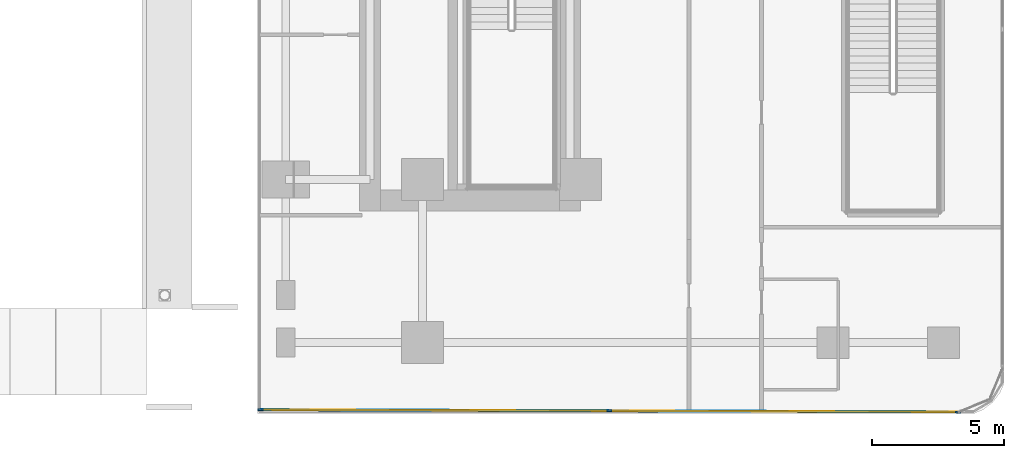
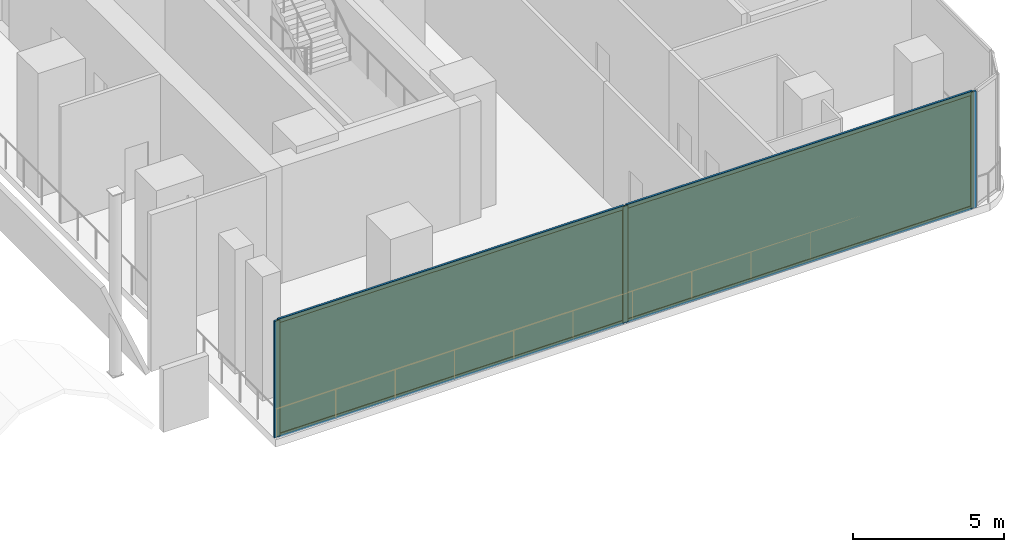
# One storey, part 16 of 31: 7 members, 2 plates, 1 curtain wall.
"""IFC4 building model written with IfcOpenShell, lengths in metres."""

from ifc_helpers import new_model, si_unit, direction, frame, frame_2d, origin, origin_2d, place, context, subcontext, project, spatial, rectangle, extrude, material, layer, layer_set, material_profile, profile_set, type_object, element, aggregate, save


model = new_model("IFC4")

# Units and contexts
model_context = context("Model", 3, precision=1e-05, world=origin(), true_north=direction((0.0, 1.0)))
body_context = subcontext(model_context, "Body", "Model", "MODEL_VIEW")
ifc_project = project(units=[si_unit("LENGTHUNIT", "METRE"), si_unit("AREAUNIT", "SQUARE_METRE"), si_unit("VOLUMEUNIT", "CUBIC_METRE"), si_unit("PLANEANGLEUNIT", "RADIAN"), si_unit("MASSUNIT", "GRAM", prefix="KILO")], contexts=[model_context])

# Member
ifc_material_1 = material(Name="Anodised Bronze Aluminium 6063-T6", Category="aluminium")
ifc_material_profile_1 = material_profile(ifc_material_1, rectangle(XDim=0.074951171875, YDim=0.199951171875, at=origin_2d()))
ifc_profile_set_1 = profile_set([ifc_material_profile_1], Name="Anodised Bronze Aluminium 6063-T6")
member_type_1 = type_object("IfcMemberType", Name="CW-POD Mullion 75x200", PredefinedType="MULLION", material=ifc_profile_set_1)
site_placement = place(None, origin())
building_placement = place(site_placement, origin())
storey_placement = place(building_placement, frame((0.0, 0.0, 11.0)))
member_1_placement = place(storey_placement, frame((34.751953125, -27.43994140625, 0.0), z_axis=(0.0, 0.0, 1.0), x_axis=(-0.003136561032, -0.99999508098, 0.0)))
member_1 = element("IfcMember", 1, at=member_1_placement, type_object=member_type_1, Name="CW-POD mullion 1", PredefinedType="MULLION", context=body_context, shape_type="SweptSolid", body=[
    extrude(rectangle(XDim=0.074951171875, YDim=0.199951171875, at=origin_2d()), origin(), (0.0, 0.0, 1.0), 4.699951171875),
])

member_2_placement = place(storey_placement, frame((21.49462890625, -27.398193359375, 0.0), z_axis=(0.0, 0.0, 1.0), x_axis=(-0.003136561032, -0.99999508098, 0.0)))
member_2 = element("IfcMember", 2, at=member_2_placement, type_object=member_type_1, Name="CW-POD mullion 2", PredefinedType="MULLION", context=body_context, shape_type="SweptSolid", body=[
    extrude(rectangle(XDim=0.074951171875, YDim=0.199951171875, at=origin_2d()), origin(), (0.0, 0.0, 1.0), 4.699951171875),
])

member_3_placement = place(storey_placement, frame((8.237548828125, -27.356689453125, 0.0), z_axis=(0.0, 0.0, 1.0), x_axis=(-0.003136561032, -0.99999508098, 0.0)))
member_3 = element("IfcMember", 3, at=member_3_placement, type_object=member_type_1, Name="CW-POD mullion 3", PredefinedType="MULLION", context=body_context, shape_type="SweptSolid", body=[
    extrude(rectangle(XDim=0.074951171875, YDim=0.199951171875, at=origin_2d()), origin(), (0.0, 0.0, 1.0), 4.699951171875),
])

ifc_material_2 = material(Name="Anodised Bronze Aluminium 6063-T6", Category="aluminium")
ifc_material_profile_2 = material_profile(ifc_material_2, rectangle(XDim=0.074951171875, YDim=0.159912109375, at=origin_2d()))
ifc_profile_set_2 = profile_set([ifc_material_profile_2], Name="Anodised Bronze Aluminium 6063-T6")
member_type_2 = type_object("IfcMemberType", Name="CW-POD Transom 75x160", PredefinedType="USERDEFINED", material=ifc_profile_set_2)
member_4_placement = place(storey_placement, frame((34.714599609375, -27.439697265625, 0.03759765625), z_axis=(-0.999995101838, 0.003129904106, 0.0), x_axis=(-0.003129904106, -0.999995101838, 0.0)))
member_4 = element("IfcMember", 4, at=member_4_placement, type_object=member_type_2, Name="CW-POD transom 1.1", ObjectType="TRANSOM", PredefinedType="USERDEFINED", context=body_context, shape_type="SweptSolid", body=[
    extrude(rectangle(XDim=0.074951171875, YDim=0.159912109375, at=origin_2d()), origin(), (0.0, 0.0, 1.0), 13.182373046875),
])

member_5_placement = place(storey_placement, frame((34.714599609375, -27.439697265625, 4.66259765625), z_axis=(-0.999995101838, 0.003129904106, 0.0), x_axis=(-0.003129904106, -0.999995101838, 0.0)))
member_5 = element("IfcMember", 5, at=member_5_placement, type_object=member_type_2, Name="CW-POD transom 1.2", ObjectType="TRANSOM", PredefinedType="USERDEFINED", context=body_context, shape_type="SweptSolid", body=[
    extrude(rectangle(XDim=0.074951171875, YDim=0.159912109375, at=origin_2d()), origin(), (0.0, 0.0, 1.0), 13.182373046875),
])

member_6_placement = place(storey_placement, frame((21.457275390625, -27.398193359375, 0.03759765625), z_axis=(-0.999995101838, 0.003129904106, 0.0), x_axis=(-0.003129904106, -0.999995101838, 0.0)))
member_6 = element("IfcMember", 6, at=member_6_placement, type_object=member_type_2, Name="CW-POD transom 2.1", ObjectType="TRANSOM", PredefinedType="USERDEFINED", context=body_context, shape_type="SweptSolid", body=[
    extrude(rectangle(XDim=0.074951171875, YDim=0.159912109375, at=origin_2d()), origin(), (0.0, 0.0, 1.0), 13.182373046875),
])

member_7_placement = place(storey_placement, frame((21.457275390625, -27.398193359375, 4.66259765625), z_axis=(-0.999995101838, 0.003129904106, 0.0), x_axis=(-0.003129904106, -0.999995101838, 0.0)))
member_7 = element("IfcMember", 7, at=member_7_placement, type_object=member_type_2, Name="CW-POD transom 2.2", ObjectType="TRANSOM", PredefinedType="USERDEFINED", context=body_context, shape_type="SweptSolid", body=[
    extrude(rectangle(XDim=0.074951171875, YDim=0.159912109375, at=origin_2d()), origin(), (0.0, 0.0, 1.0), 13.182373046875),
])

# Plate
ifc_material_3 = material(Name="Low-E Solar Control Laminated Glass", Category="glass")
ifc_layer_1 = layer(ifc_material_3, 0.031982421875, Name="Low-E Solar Control Laminated Glass")
ifc_layer_set_1 = layer_set([ifc_layer_1], Name="Low-E Solar Control Laminated Glass")
plate_type = type_object("IfcPlateType", Name="CW-POD Low-E Double Glazed Panel 32mm", PredefinedType="CURTAIN_PANEL", material=ifc_layer_set_1)
plate_1_placement = place(storey_placement, frame((28.123291015625, -27.419189453125, 0.0751953125), z_axis=(0.0, 0.0, 1.0), x_axis=(-0.99999508098, 0.003136561032, 0.0)))
plate_1 = element("IfcPlate", 8, at=plate_1_placement, type_object=plate_type, Name="CW-POD panel 1.1", PredefinedType="CURTAIN_PANEL", context=body_context, shape_type="SweptSolid", body=[
    extrude(rectangle(XDim=13.182373046875, YDim=0.031982421875, at=origin_2d()), origin(), (0.0, 0.0, 1.0), 4.550048828125),
])

plate_2_placement = place(storey_placement, frame((14.8662109375, -27.37744140625, 0.0751953125), z_axis=(0.0, 0.0, 1.0), x_axis=(-0.99999508098, 0.003136561032, 0.0)))
plate_2 = element("IfcPlate", 9, at=plate_2_placement, type_object=plate_type, Name="CW-POD panel 2.1", PredefinedType="CURTAIN_PANEL", context=body_context, shape_type="SweptSolid", body=[
    extrude(rectangle(XDim=13.182373046875, YDim=0.031982421875, at=origin_2d()), origin(), (0.0, 0.0, 1.0), 4.550048828125),
])

# Site, building, storey
site = spatial("IfcSite", under=ifc_project, at=site_placement, CompositionType="ELEMENT")
building = spatial("IfcBuilding", under=site, at=building_placement, Name="Khairoan Windgate Tower", CompositionType="ELEMENT")
storey = spatial("IfcBuildingStorey", under=building, at=storey_placement, Name="L03", CompositionType="ELEMENT", Elevation=11.0)

# Curtain wall
ifc_material_4 = material(Name="Anodised Bronze Aluminium 6063-T6", Category="aluminium")
ifc_layer_2 = layer(ifc_material_4, 0.199951171875, Name="Anodised Bronze Aluminium 6063-T6")
ifc_layer_set_2 = layer_set([ifc_layer_2], Name="Anodised Bronze Aluminium 6063-T6")
curtain_wall_type = type_object("IfcCurtainWallType", Name="Podium Arch Galleria Curtain Wall CW-POD", PredefinedType="NOTDEFINED", material=ifc_layer_set_2)
curtain_wall_placement = place(storey_placement, frame((34.78955078125, -27.43994140625, 0.0), z_axis=(0.0, 0.0, 1.0), x_axis=(-0.999995098465, 0.003130981522, 0.0)))
curtain_wall = element("IfcCurtainWall", 10, at=curtain_wall_placement, inside=storey, type_object=curtain_wall_type, Name="L03 Sculpted Podium Wing Curtain Wall 2.8", PredefinedType="NOTDEFINED", context=body_context, shape_type="SweptSolid", body=[
    extrude(rectangle(XDim=26.58984375, YDim=0.010009765625, at=frame_2d((13.294921875, 0.0))), origin(), (0.0, 0.0, 1.0), 4.699951171875),
])

aggregate(curtain_wall, [member_1, member_2, member_3, member_4, member_5, plate_1, member_6, member_7, plate_2])

save(model, "model.ifc")
